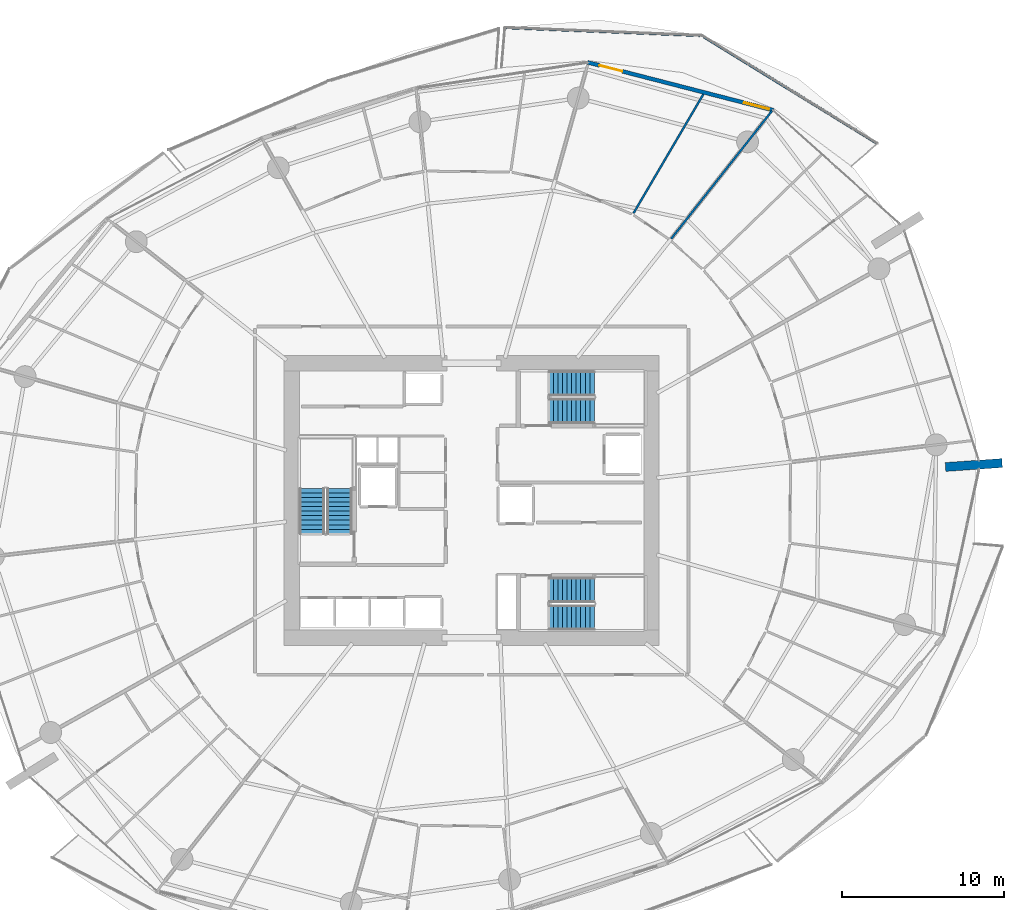
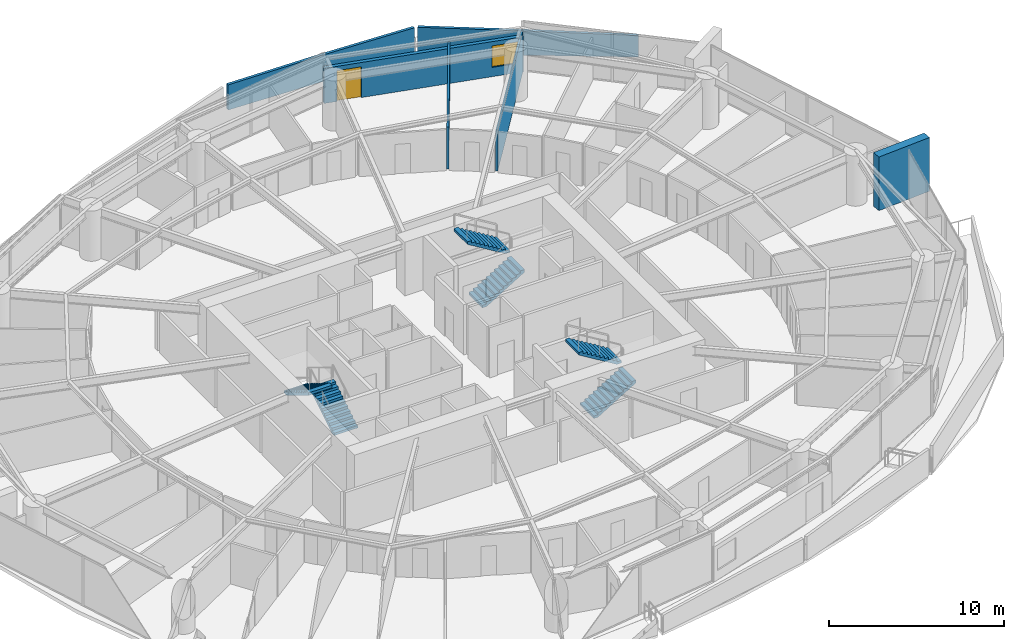
# One storey, part 24 of 31: 6 stair flights, 6 walls, 1 door, 1 window, 2 openings, 3 elements without a shape of their own.
"""IFC4 building model written with IfcOpenShell, lengths in metres."""

import ifcopenshell
import ifcopenshell.guid

model = None  # the IFC model being written
_history = None  # IfcOwnerHistory: only IFC2X3 demands one
_inside = {}  # id of a spatial element -> (the spatial element, [elements in it])
_under = {}  # id of a project, library or spatial element -> (it, [spatial elements below it])
_declared = {}  # id of a project -> (the project, [libraries it declares])
_typed = {}  # id of a type object -> (the type object, [elements of that type])
_made_of = {}  # id of a material, layer set ... -> (it, [elements and type objects made of it])


def new_model(schema):
    """Start an empty IFC model of exactly this schema.

    Asked for "IFC4X3", IfcOpenShell would pick the latest addendum, in which some entities
    have other attributes; the version numbers below select the first issue.
    IFC2X3 requires an IfcOwnerHistory on every rooted entity: one is made here for all.
    """
    global model, _history
    if schema == "IFC4X3":
        model = ifcopenshell.file(schema_version=(4, 3, 0, 0))
    else:
        model = ifcopenshell.file(schema=schema)
    _inside.clear()
    _under.clear()
    _declared.clear()
    _typed.clear()
    _made_of.clear()
    _history = None
    if model.schema == "IFC2X3":
        org = make("IfcOrganization", Name="unknown")
        user = make(
            "IfcPersonAndOrganization",
            ThePerson=make("IfcPerson", FamilyName="unknown"),
            TheOrganization=org,
        )
        app = make(
            "IfcApplication",
            ApplicationDeveloper=org,
            Version="unknown",
            ApplicationFullName="unknown",
            ApplicationIdentifier="unknown",
        )
        _history = make(
            "IfcOwnerHistory",
            OwningUser=user,
            OwningApplication=app,
            ChangeAction="ADDED",
            CreationDate=0,
        )
    return model


def make(cls, **values):
    """One entity of the class cls with the attributes given. An attribute that is None is left unset."""
    return model.create_entity(
        cls, **{name: value for name, value in values.items() if value is not None}
    )


def rooted(cls, **values):
    """An entity with a GlobalId (a new one), such as an element, a storey or a relation."""
    return make(cls, GlobalId=ifcopenshell.guid.new(), OwnerHistory=_history, **values)


def si_unit(unit_type, name, prefix=None):
    """IfcSIUnit, for example si_unit("LENGTHUNIT", "METRE", prefix="MILLI")."""
    return make("IfcSIUnit", UnitType=unit_type, Prefix=prefix, Name=name)


def assignment(units):
    """IfcUnitAssignment: the units of a project."""
    return None if units is None else make("IfcUnitAssignment", Units=units)


def point(xyz):
    """IfcCartesianPoint."""
    return None if xyz is None else make("IfcCartesianPoint", Coordinates=xyz)


def direction(xyz):
    """IfcDirection."""
    return None if xyz is None else make("IfcDirection", DirectionRatios=xyz)


def frame(location, z_axis=None, x_axis=None):
    """IfcAxis2Placement3D, a coordinate frame: its origin and axes. An axis left out is left unset."""
    return make(
        "IfcAxis2Placement3D",
        Location=point(location),
        Axis=direction(z_axis),
        RefDirection=direction(x_axis),
    )


def frame_2d(location, x_axis=None):
    """IfcAxis2Placement2D, a coordinate frame in the plane: its origin and x axis."""
    return make(
        "IfcAxis2Placement2D", Location=point(location), RefDirection=direction(x_axis)
    )


def origin():
    """The frame at (0, 0, 0) with its axes left unset."""
    return frame((0.0, 0.0, 0.0))


def place(relative_to, where):
    """IfcLocalPlacement: puts the frame where relative to a parent placement (None: the world)."""
    return make(
        "IfcLocalPlacement", PlacementRelTo=relative_to, RelativePlacement=where
    )


def context(
    kind, dimensions, precision=None, world=None, true_north=None, identifier=None
):
    """IfcGeometricRepresentationContext, for example the 3D "Model" context."""
    return make(
        "IfcGeometricRepresentationContext",
        ContextIdentifier=identifier,
        ContextType=kind,
        CoordinateSpaceDimension=dimensions,
        Precision=precision,
        WorldCoordinateSystem=world,
        TrueNorth=true_north,
    )


def subcontext(parent, identifier, kind, view, scale=None):
    """IfcGeometricRepresentationSubContext, for example "Body" below "Model"."""
    return make(
        "IfcGeometricRepresentationSubContext",
        ContextIdentifier=identifier,
        ContextType=kind,
        ParentContext=parent,
        TargetScale=scale,
        TargetView=view,
    )


def project(units=None, contexts=None):
    """IfcProject with its units and contexts."""
    return rooted(
        "IfcProject",
        Name="project",
        RepresentationContexts=contexts,
        UnitsInContext=assignment(units),
    )


def spatial(cls, under=None, at=None, **own):
    """A site, building, storey or space (cls), placed at a placement, below another one or the project."""
    s = rooted(cls, ObjectPlacement=at, **own)
    if under is not None:
        _under.setdefault(under.id(), (under, []))[1].append(s)
    return s


def polyline(points):
    """IfcPolyline through the points."""
    return make("IfcPolyline", Points=[point(p) for p in points])


def profile(cls, at=None, kind="AREA", **sizes):
    """A parametric profile (cls). Its sizes go by their IFC names, for example OverallWidth=200.0."""
    return make(cls, ProfileType=kind, Position=at, **sizes)


def rectangle(**sizes):
    """IfcRectangleProfileDef."""
    return profile("IfcRectangleProfileDef", **sizes)


def outline(outer, holes=None, kind="AREA"):
    """IfcArbitraryClosedProfileDef: a profile drawn as a closed curve; with holes, ...WithVoids."""
    if holes is None:
        return make("IfcArbitraryClosedProfileDef", ProfileType=kind, OuterCurve=outer)
    return make(
        "IfcArbitraryProfileDefWithVoids",
        ProfileType=kind,
        OuterCurve=outer,
        InnerCurves=holes,
    )


def extrude(swept, where, along, depth):
    """IfcExtrudedAreaSolid: the profile swept, set in the frame where, extruded along a direction by depth."""
    return make(
        "IfcExtrudedAreaSolid",
        SweptArea=swept,
        Position=where,
        ExtrudedDirection=direction(along),
        Depth=depth,
    )


def shape(context_of_items, identifier, shape_type, items):
    """IfcShapeRepresentation: the items that make up one representation, for example the "Body"."""
    return make(
        "IfcShapeRepresentation",
        ContextOfItems=context_of_items,
        RepresentationIdentifier=identifier,
        RepresentationType=shape_type,
        Items=items,
    )


def material(Name=None, Category=None):
    """IfcMaterial."""
    return make("IfcMaterial", Name=Name, Category=Category)


def layer(
    of_material, thickness, ventilated=None, Name=None, Category=None, Priority=None
):
    """IfcMaterialLayer: one layer of a wall or slab, of a material (None: an air gap)."""
    return make(
        "IfcMaterialLayer",
        Material=of_material,
        LayerThickness=thickness,
        IsVentilated=ventilated,
        Name=Name,
        Category=Category,
        Priority=Priority,
    )


def layer_set(layers, Name=None):
    """IfcMaterialLayerSet."""
    return make("IfcMaterialLayerSet", MaterialLayers=layers, LayerSetName=Name)


def made_of(thing, what):
    """Note that an element or type object is made of a material, layer set ...; save() writes the relation."""
    if what is not None:
        _made_of.setdefault(what.id(), (what, []))[1].append(thing)
    return thing


def type_object(cls, material=None, **own):
    """A type object (cls), such as IfcWallType, which elements share."""
    return made_of(rooted(cls, **own), material)


def element(
    cls,
    number,
    at=None,
    inside=None,
    cuts=None,
    type_object=None,
    material=None,
    context=None,
    identifier="Body",
    shape_type=None,
    held_by="IfcProductDefinitionShape",
    body=None,
    shapes=None,
    **own,
):
    """One element of the class cls, such as IfcWall. Its Tag is "e" and its number.

    at: its placement. inside: the storey or other place that contains it. cuts: it is an
    opening in that element (IfcRelVoidsElement). A single representation is given by context,
    identifier, shape_type and body (its items); several are given by shapes. held_by: the class
    of the entity that holds the representations. save() writes the other relations.
    """
    e = rooted(cls, Tag="e%d" % number, ObjectPlacement=at, **own)
    if body is not None:
        shapes = [shape(context, identifier, shape_type, body)]
    if shapes is not None:
        e.Representation = make(held_by, Representations=shapes)
    if inside is not None:
        _inside.setdefault(inside.id(), (inside, []))[1].append(e)
    if cuts is not None:
        rooted(
            "IfcRelVoidsElement", RelatingBuildingElement=cuts, RelatedOpeningElement=e
        )
    if type_object is not None:
        _typed.setdefault(type_object.id(), (type_object, []))[1].append(e)
    return made_of(e, material)


def fill(opening, filler):
    """IfcRelFillsElement: the door or window that sits in an opening."""
    return rooted(
        "IfcRelFillsElement",
        RelatingOpeningElement=opening,
        RelatedBuildingElement=filler,
    )


def aggregate(whole, parts):
    """IfcRelAggregates: a whole, such as a stair, and the parts it consists of."""
    return rooted("IfcRelAggregates", RelatingObject=whole, RelatedObjects=parts)


def save(model, path):
    """Write the relations noted so far, then the file.

    IfcRelAggregates (storeys below a building ...), IfcRelContainedInSpatialStructure (elements
    in a storey), IfcRelDefinesByType, IfcRelAssociatesMaterial and IfcRelDeclares: one each for
    every whole, place, type object, material and project.
    """
    for whole, parts in _under.values():
        aggregate(whole, parts)
    for where, things in _inside.values():
        rooted(
            "IfcRelContainedInSpatialStructure",
            RelatedElements=things,
            RelatingStructure=where,
        )
    for kind, things in _typed.values():
        rooted("IfcRelDefinesByType", RelatedObjects=things, RelatingType=kind)
    for what, things in _made_of.values():
        rooted("IfcRelAssociatesMaterial", RelatedObjects=things, RelatingMaterial=what)
    for by, libraries in _declared.values():
        rooted("IfcRelDeclares", RelatingContext=by, RelatedDefinitions=libraries)
    model.write(path)


model = new_model("IFC4")

# Units and contexts
model_context = context("Model", 3, precision=1e-05, world=origin(), true_north=direction((0.0, 1.0)))
body_context = subcontext(model_context, "Body", "Model", "MODEL_VIEW")
ifc_project = project(units=[si_unit("LENGTHUNIT", "METRE"), si_unit("AREAUNIT", "SQUARE_METRE"), si_unit("VOLUMEUNIT", "CUBIC_METRE"), si_unit("PLANEANGLEUNIT", "RADIAN"), si_unit("MASSUNIT", "GRAM", prefix="KILO")], contexts=[model_context])

# Site, building, storey
site_placement = place(None, origin())
site = spatial("IfcSite", under=ifc_project, at=site_placement, CompositionType="ELEMENT")
building_placement = place(site_placement, origin())
building = spatial("IfcBuilding", under=site, at=building_placement, Name="Kazma Halo Residences", CompositionType="ELEMENT")
storey_placement = place(building_placement, frame((0.0, 0.0, 37.64990234375)))
storey = spatial("IfcBuildingStorey", under=building, at=storey_placement, Name="L08", CompositionType="ELEMENT", Elevation=37.64990234375)

# Walls
ifc_material_1 = material(Name="White Concrete C50/60 Balustrade", Category="concrete")
ifc_layer_1 = layer(ifc_material_1, 0.179931640625)
ifc_layer_set_1 = layer_set([ifc_layer_1], Name="White Concrete C50/60 Balustrade")
wall_type_1 = type_object("IfcWallType", Name="WL-BAL-WAVE-180", PredefinedType="PARAPET", material=ifc_layer_set_1)
wall_1_placement = place(storey_placement, frame((73.48779296875, 64.039306640625, 0.0), z_axis=(0.0, 0.0, 1.0), x_axis=(-0.851732671453, 0.523976579991, 0.0)))
element("IfcWall", 1, at=wall_1_placement, inside=storey, type_object=wall_type_1, Name="L08 white wave balustrade wall NE.1", PredefinedType="PARAPET", context=body_context, shape_type="SweptSolid", body=[
    extrude(outline(polyline([(0.0, 0.0), (12.625, 0.0), (12.625244140625, 1.83203125), (6.3125, 1.696044921875), (0.0, 1.4970703125), (0.0, 0.0)])), frame((0.0, 0.08984375, 0.0), z_axis=(0.0, -1.0, 0.0), x_axis=(1.0, 0.0, 0.0)), (0.0, 0.0, 1.0), 0.179931640625),
])
wall_2_placement = place(storey_placement, frame((62.512451171875, 70.722412109375, 0.0), z_axis=(0.0, 0.0, 1.0), x_axis=(-0.999194241802, 0.040135609494, 0.0)))
element("IfcWall", 2, at=wall_2_placement, inside=storey, type_object=wall_type_1, Name="L08 white wave balustrade wall NE.2", PredefinedType="PARAPET", context=body_context, shape_type="SweptSolid", body=[
    extrude(outline(polyline([(0.0, 0.0), (12.044189453125, 0.0), (12.0439453125, 1.756103515625), (6.02197265625, 1.85302734375), (0.0, 1.83203125), (0.0, 0.0)])), frame((0.0, 0.08984375, 0.0), z_axis=(0.0, -1.0, 0.0), x_axis=(1.0, 0.0, 0.0)), (0.0, 0.0, 1.0), 0.179931640625),
])
ifc_material_2 = material(Name="Pale Concrete C60/75", Category="concrete")
ifc_layer_2 = layer(ifc_material_2, 0.550048828125)
ifc_layer_set_2 = layer_set([ifc_layer_2], Name="Pale Concrete C60/75")
wall_type_2 = type_object("IfcWallType", Name="WL-BLADE-550", PredefinedType="SOLIDWALL", material=ifc_layer_set_2)
wall_3_placement = place(storey_placement, frame((77.677978515625, 44.0751953125, 0.0), z_axis=(0.0, 0.0, 1.0), x_axis=(0.997564163539, 0.069754853754, 0.0)))
element("IfcWall", 3, at=wall_3_placement, inside=storey, type_object=wall_type_2, Name="L08 pale concrete structural blade fin wall BW-04", PredefinedType="SOLIDWALL", context=body_context, shape_type="SweptSolid", body=[
    extrude(rectangle(XDim=3.5, YDim=0.550048828125, at=frame_2d((1.75, 0.0))), origin(), (0.0, 0.0, 1.0), 3.75),
])

# Wall, openings, door, window
ifc_material_3 = material(Name="Insulated Pale-Metal Composite Wall")
ifc_layer_3 = layer(ifc_material_3, 0.239990234375)
ifc_layer_set_3 = layer_set([ifc_layer_3], Name="Insulated Pale-Metal Composite Wall")
wall_type_3 = type_object("IfcWallType", Name="WL-EXT-HOST-240", PredefinedType="SOLIDWALL", material=ifc_layer_set_3)
wall_4_placement = place(storey_placement, frame((67.05419921875, 66.09619140625, 0.0), z_axis=(0.0, 0.0, 1.0), x_axis=(-0.96833871487, 0.249640007378, 0.0)))
wall_4 = element("IfcWall", 4, at=wall_4_placement, inside=storey, type_object=wall_type_3, Name="L08 exterior terrace-access wall B02", PredefinedType="SOLIDWALL", context=body_context, shape_type="SweptSolid", body=[
    extrude(rectangle(XDim=11.85107421875, YDim=0.239990234375, at=frame_2d((5.925537109375, 0.0))), origin(), (0.0, 0.0, 1.0), 2.4501953125),
])
opening_1_placement = place(wall_4_placement, frame((9.631103515625, 0.0, 0.0)))
opening_1 = element("IfcOpeningElement", 5, at=opening_1_placement, cuts=wall_4, Name="Opening DTR-1600", PredefinedType="OPENING", context=body_context, shape_type="SweptSolid", body=[
    extrude(rectangle(XDim=1.449951171875, YDim=2.14990234375, at=frame_2d((0.72509765625, 1.074951171875))), frame((0.0, 0.1298828125, 0.0), z_axis=(0.0, -1.0, 0.0), x_axis=(1.0, 0.0, 0.0)), (0.0, 0.0, 1.0), 0.260009765625),
])
opening_2_placement = place(wall_4_placement, frame((0.280029296875, 0.0, 0.64990234375)))
opening_2 = element("IfcOpeningElement", 6, at=opening_2_placement, cuts=wall_4, Name="Opening W-1800", PredefinedType="OPENING", context=body_context, shape_type="SweptSolid", body=[
    extrude(rectangle(XDim=1.60009765625, YDim=1.5, at=frame_2d((0.800048828125, 0.75))), frame((0.0, 0.1298828125, 0.0), z_axis=(0.0, -1.0, 0.0), x_axis=(1.0, 0.0, 0.0)), (0.0, 0.0, 1.0), 0.260009765625),
])
ifc_material_4 = material(Name="Aluminium AW-6063 T6 Double-Glazed Terrace Door", Category="aluminium")
door_type = type_object("IfcDoorType", Name="DR-EXT-TERR-1600", OperationType="NOTDEFINED", PredefinedType="DOOR", material=ifc_material_4)
door_placement = place(opening_1_placement, origin())
door = element("IfcDoor", 7, at=door_placement, inside=storey, type_object=door_type, Name="L08 B02 balcony terrace door", OperationType="DOUBLE_DOOR_SLIDING", OverallHeight=2.14990234375, OverallWidth=1.449951171875, PredefinedType="DOOR", context=body_context, shape_type="SweptSolid", body=[
    extrude(rectangle(XDim=1.449951171875, YDim=2.14990234375, at=frame_2d((0.72509765625, 1.074951171875))), frame((0.0, 0.02490234375, 0.0), z_axis=(0.0, -1.0, 0.0), x_axis=(1.0, 0.0, 0.0)), (0.0, 0.0, 1.0), 0.050048828125),
])
fill(opening_1, door)
ifc_material_5 = material(Name="Clear Triple-Silver Low-E Glass in Aluminium AW-6063 T6 Frame", Category="aluminium")
window_type = type_object("IfcWindowType", Name="WIN-RES-1800", PartitioningType="DOUBLE_PANEL_VERTICAL", PredefinedType="WINDOW", material=ifc_material_5)
window_placement = place(opening_2_placement, origin())
window = element("IfcWindow", 8, at=window_placement, inside=storey, type_object=window_type, Name="L08 B02 apartment window", OverallHeight=1.5, OverallWidth=1.60009765625, PartitioningType="SINGLE_PANEL", PredefinedType="WINDOW", context=body_context, shape_type="SweptSolid", body=[
    extrude(rectangle(XDim=1.60009765625, YDim=1.5, at=frame_2d((0.800048828125, 0.75))), frame((0.0, 0.030029296875, 0.0), z_axis=(0.0, -1.0, 0.0), x_axis=(1.0, 0.0, 0.0)), (0.0, 0.0, 1.0), 0.06005859375),
])
fill(opening_2, window)

# Walls
ifc_material_6 = material(Name="Gypsum Plasterboard Partition")
ifc_layer_4 = layer(ifc_material_6, 0.125)
ifc_layer_set_4 = layer_set([ifc_layer_4], Name="Gypsum Plasterboard Partition")
wall_type_4 = type_object("IfcWallType", Name="WL-PART-125", PredefinedType="PARTITIONING", material=ifc_layer_set_4)
wall_5_placement = place(storey_placement, frame((60.742919921875, 58.1640625, 0.0), z_axis=(0.0, 0.0, 1.0), x_axis=(0.61907620874, 0.785330916093, 0.0)))
element("IfcWall", 9, at=wall_5_placement, inside=storey, type_object=wall_type_4, Name="L08 Apartment 1 radial partition 1", PredefinedType="PARTITIONING", context=body_context, shape_type="SweptSolid", body=[
    extrude(rectangle(XDim=10.09130859375, YDim=0.125, at=frame_2d((5.045654296875, 0.0))), origin(), (0.0, 0.0, 1.0), 2.8671875),
])
wall_6_placement = place(storey_placement, frame((58.4169921875, 59.74072265625, 0.0), z_axis=(0.0, 0.0, 1.0), x_axis=(0.506296022947, 0.862359749263, 0.0)))
element("IfcWall", 10, at=wall_6_placement, inside=storey, type_object=wall_type_4, Name="L08 Apartment 1 mid-bay wall 1", PredefinedType="PARTITIONING", context=body_context, shape_type="SweptSolid", body=[
    extrude(rectangle(XDim=8.518798828125, YDim=0.125, at=frame_2d((4.25927734375, 0.0))), origin(), (0.0, 0.0, 1.0), 2.940185546875),
])

# Stair, stair flights
ifc_material_7 = material(Name="Concrete C50/60", Category="concrete")
stair_type = type_object("IfcStairType", Name="STR-RES1", PredefinedType="HALF_TURN_STAIR", material=ifc_material_7)
stair_1_placement = place(storey_placement, origin())
stair_1 = element("IfcStair", 11, at=stair_1_placement, inside=storey, type_object=stair_type, Name="L08 Core exit stair ST-01", PredefinedType="HALF_TURN_STAIR")
stair_flight_type = type_object("IfcStairFlightType", Name="STR-RES1-FLT", PredefinedType="STRAIGHT", material=ifc_material_7)
stair_flight_1_placement = place(storey_placement, frame((40.27490234375, 39.949951171875, 0.0), z_axis=(0.0, 0.0, 1.0), x_axis=(0.0, 1.0, 0.0)))
stair_flight_1 = element("IfcStairFlight", 12, at=stair_flight_1_placement, type_object=stair_flight_type, Name="ST-01 flight 1", NumberOfRisers=11, NumberOfTreads=10, PredefinedType="STRAIGHT", RiserHeight=0.170454545, TreadLength=0.28, context=body_context, shape_type="SweptSolid", body=[
    extrude(outline(polyline([(0.0, 0.0), (0.0, 0.17041015625), (0.280029296875, 0.17041015625), (0.280029296875, 0.3408203125), (0.56005859375, 0.3408203125), (0.56005859375, 0.511474609375), (0.840087890625, 0.511474609375), (0.840087890625, 0.681884765625), (1.1201171875, 0.681884765625), (1.1201171875, 0.852294921875), (1.39990234375, 0.852294921875), (1.39990234375, 1.022705078125), (1.679931640625, 1.022705078125), (1.679931640625, 1.193115234375), (1.9599609375, 1.193115234375), (1.9599609375, 1.363525390625), (2.239990234375, 1.363525390625), (2.239990234375, 1.5341796875), (2.52001953125, 1.5341796875), (2.52001953125, 1.70458984375), (2.800048828125, 1.70458984375), (2.800048828125, 1.875), (2.800048828125, 1.529052734375), (0.288330078125, 0.0), (0.0, 0.0)])), frame((0.0, 0.77490234375, 0.0), z_axis=(0.0, -1.0, 0.0), x_axis=(1.0, 0.0, 0.0)), (0.0, 0.0, 1.0), 1.550048828125),
])
stair_flight_2_placement = place(storey_placement, frame((38.574951171875, 42.75, 1.875), z_axis=(0.0, 0.0, 1.0), x_axis=(0.0, -1.0, 0.0)))
stair_flight_2 = element("IfcStairFlight", 13, at=stair_flight_2_placement, type_object=stair_flight_type, Name="ST-01 flight 2", NumberOfRisers=11, NumberOfTreads=10, PredefinedType="STRAIGHT", RiserHeight=0.170454545, TreadLength=0.28, context=body_context, shape_type="SweptSolid", body=[
    extrude(outline(polyline([(0.0, 0.0), (0.0, 0.17041015625), (0.280029296875, 0.17041015625), (0.280029296875, 0.3408203125), (0.56005859375, 0.3408203125), (0.56005859375, 0.511474609375), (0.840087890625, 0.511474609375), (0.840087890625, 0.681884765625), (1.1201171875, 0.681884765625), (1.1201171875, 0.852294921875), (1.39990234375, 0.852294921875), (1.39990234375, 1.022705078125), (1.679931640625, 1.022705078125), (1.679931640625, 1.193115234375), (1.9599609375, 1.193115234375), (1.9599609375, 1.363525390625), (2.239990234375, 1.363525390625), (2.239990234375, 1.5341796875), (2.52001953125, 1.5341796875), (2.52001953125, 1.70458984375), (2.800048828125, 1.70458984375), (2.800048828125, 1.875), (2.800048828125, 1.529052734375), (0.288330078125, 0.0), (0.0, 0.0)])), frame((0.0, 0.77490234375, 0.0), z_axis=(0.0, -1.0, 0.0), x_axis=(1.0, 0.0, 0.0)), (0.0, 0.0, 1.0), 1.550048828125),
])
aggregate(stair_1, [stair_flight_1, stair_flight_2])

stair_2_placement = place(storey_placement, origin())
stair_2 = element("IfcStair", 14, at=stair_2_placement, inside=storey, type_object=stair_type, Name="L08 Core exit stair ST-02", PredefinedType="HALF_TURN_STAIR")
stair_flight_3_placement = place(storey_placement, frame((53.199951171875, 47.52490234375, 0.0), z_axis=(0.0, 0.0, 1.0), x_axis=(1.0, 0.0, 0.0)))
stair_flight_3 = element("IfcStairFlight", 15, at=stair_flight_3_placement, type_object=stair_flight_type, Name="ST-02 flight 1", NumberOfRisers=11, NumberOfTreads=10, PredefinedType="STRAIGHT", RiserHeight=0.170454545, TreadLength=0.28, context=body_context, shape_type="SweptSolid", body=[
    extrude(outline(polyline([(0.0, 0.0), (0.0, 0.17041015625), (0.280029296875, 0.17041015625), (0.280029296875, 0.3408203125), (0.56005859375, 0.3408203125), (0.56005859375, 0.511474609375), (0.840087890625, 0.511474609375), (0.840087890625, 0.681884765625), (1.1201171875, 0.681884765625), (1.1201171875, 0.852294921875), (1.39990234375, 0.852294921875), (1.39990234375, 1.022705078125), (1.679931640625, 1.022705078125), (1.679931640625, 1.193115234375), (1.9599609375, 1.193115234375), (1.9599609375, 1.363525390625), (2.239990234375, 1.363525390625), (2.239990234375, 1.5341796875), (2.52001953125, 1.5341796875), (2.52001953125, 1.70458984375), (2.800048828125, 1.70458984375), (2.800048828125, 1.875), (2.800048828125, 1.529052734375), (0.288330078125, 0.0), (0.0, 0.0)])), frame((0.0, 0.77490234375, 0.0), z_axis=(0.0, -1.0, 0.0), x_axis=(1.0, 0.0, 0.0)), (0.0, 0.0, 1.0), 1.550048828125),
])
stair_flight_4_placement = place(storey_placement, frame((56.0, 49.22509765625, 1.875), z_axis=(0.0, 0.0, 1.0), x_axis=(-1.0, 0.0, 0.0)))
stair_flight_4 = element("IfcStairFlight", 16, at=stair_flight_4_placement, type_object=stair_flight_type, Name="ST-02 flight 2", NumberOfRisers=11, NumberOfTreads=10, PredefinedType="STRAIGHT", RiserHeight=0.170454545, TreadLength=0.28, context=body_context, shape_type="SweptSolid", body=[
    extrude(outline(polyline([(0.0, 0.0), (0.0, 0.17041015625), (0.280029296875, 0.17041015625), (0.280029296875, 0.3408203125), (0.56005859375, 0.3408203125), (0.56005859375, 0.511474609375), (0.840087890625, 0.511474609375), (0.840087890625, 0.681884765625), (1.1201171875, 0.681884765625), (1.1201171875, 0.852294921875), (1.39990234375, 0.852294921875), (1.39990234375, 1.022705078125), (1.679931640625, 1.022705078125), (1.679931640625, 1.193115234375), (1.9599609375, 1.193115234375), (1.9599609375, 1.363525390625), (2.239990234375, 1.363525390625), (2.239990234375, 1.5341796875), (2.52001953125, 1.5341796875), (2.52001953125, 1.70458984375), (2.800048828125, 1.70458984375), (2.800048828125, 1.875), (2.800048828125, 1.529052734375), (0.288330078125, 0.0), (0.0, 0.0)])), frame((0.0, 0.77490234375, 0.0), z_axis=(0.0, -1.0, 0.0), x_axis=(1.0, 0.0, 0.0)), (0.0, 0.0, 1.0), 1.550048828125),
])
aggregate(stair_2, [stair_flight_3, stair_flight_4])

stair_3_placement = place(storey_placement, origin())
stair_3 = element("IfcStair", 17, at=stair_3_placement, inside=storey, type_object=stair_type, Name="L08 Core exit stair ST-03", PredefinedType="HALF_TURN_STAIR")
stair_flight_5_placement = place(storey_placement, frame((53.199951171875, 34.77490234375, 0.0), z_axis=(0.0, 0.0, 1.0), x_axis=(1.0, 0.0, 0.0)))
stair_flight_5 = element("IfcStairFlight", 18, at=stair_flight_5_placement, type_object=stair_flight_type, Name="ST-03 flight 1", NumberOfRisers=11, NumberOfTreads=10, PredefinedType="STRAIGHT", RiserHeight=0.170454545, TreadLength=0.28, context=body_context, shape_type="SweptSolid", body=[
    extrude(outline(polyline([(0.0, 0.0), (0.0, 0.17041015625), (0.280029296875, 0.17041015625), (0.280029296875, 0.3408203125), (0.56005859375, 0.3408203125), (0.56005859375, 0.511474609375), (0.840087890625, 0.511474609375), (0.840087890625, 0.681884765625), (1.1201171875, 0.681884765625), (1.1201171875, 0.852294921875), (1.39990234375, 0.852294921875), (1.39990234375, 1.022705078125), (1.679931640625, 1.022705078125), (1.679931640625, 1.193115234375), (1.9599609375, 1.193115234375), (1.9599609375, 1.363525390625), (2.239990234375, 1.363525390625), (2.239990234375, 1.5341796875), (2.52001953125, 1.5341796875), (2.52001953125, 1.70458984375), (2.800048828125, 1.70458984375), (2.800048828125, 1.875), (2.800048828125, 1.529052734375), (0.288330078125, 0.0), (0.0, 0.0)])), frame((0.0, 0.77490234375, 0.0), z_axis=(0.0, -1.0, 0.0), x_axis=(1.0, 0.0, 0.0)), (0.0, 0.0, 1.0), 1.550048828125),
])
stair_flight_6_placement = place(storey_placement, frame((56.0, 36.47509765625, 1.875), z_axis=(0.0, 0.0, 1.0), x_axis=(-1.0, 0.0, 0.0)))
stair_flight_6 = element("IfcStairFlight", 19, at=stair_flight_6_placement, type_object=stair_flight_type, Name="ST-03 flight 2", NumberOfRisers=11, NumberOfTreads=10, PredefinedType="STRAIGHT", RiserHeight=0.170454545, TreadLength=0.28, context=body_context, shape_type="SweptSolid", body=[
    extrude(outline(polyline([(0.0, 0.0), (0.0, 0.17041015625), (0.280029296875, 0.17041015625), (0.280029296875, 0.3408203125), (0.56005859375, 0.3408203125), (0.56005859375, 0.511474609375), (0.840087890625, 0.511474609375), (0.840087890625, 0.681884765625), (1.1201171875, 0.681884765625), (1.1201171875, 0.852294921875), (1.39990234375, 0.852294921875), (1.39990234375, 1.022705078125), (1.679931640625, 1.022705078125), (1.679931640625, 1.193115234375), (1.9599609375, 1.193115234375), (1.9599609375, 1.363525390625), (2.239990234375, 1.363525390625), (2.239990234375, 1.5341796875), (2.52001953125, 1.5341796875), (2.52001953125, 1.70458984375), (2.800048828125, 1.70458984375), (2.800048828125, 1.875), (2.800048828125, 1.529052734375), (0.288330078125, 0.0), (0.0, 0.0)])), frame((0.0, 0.77490234375, 0.0), z_axis=(0.0, -1.0, 0.0), x_axis=(1.0, 0.0, 0.0)), (0.0, 0.0, 1.0), 1.550048828125),
])
aggregate(stair_3, [stair_flight_5, stair_flight_6])

save(model, "model.ifc")
